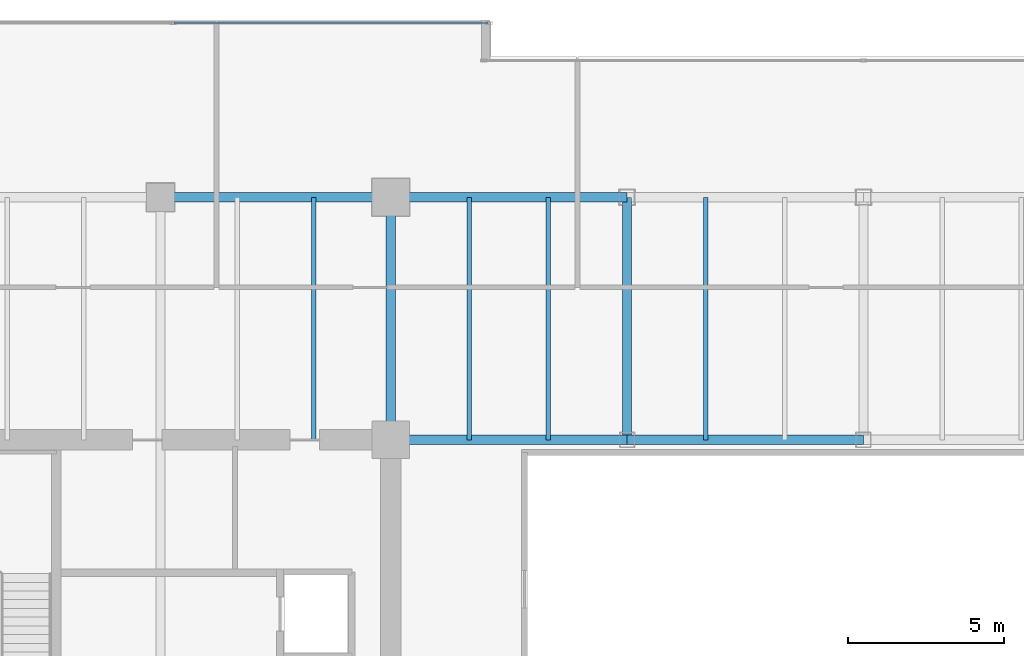
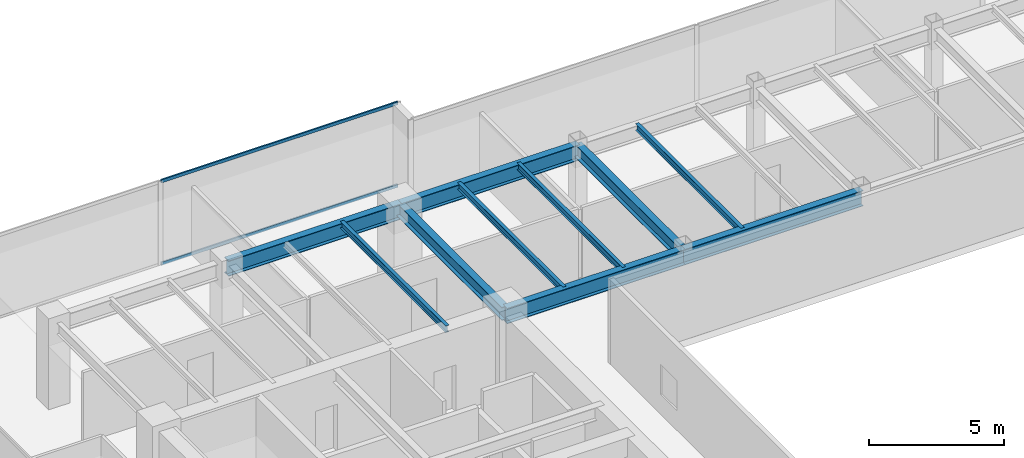
# One storey, part 15 of 34: 10 beams, 2 members, 1 element without a shape of its own.
"""IFC4 building model written with IfcOpenShell, lengths in metres."""

from ifc_helpers import new_model, si_unit, direction, frame, origin, origin_2d, place, context, subcontext, project, spatial, hollow_rectangle, i_section, extrude, source, transform, mapped, material, layer, layer_set, material_profile, profile_set, type_object, type_shapes, element, aggregate, save


model = new_model("IFC4")

# Units and contexts
model_context = context("Model", 3, precision=1e-05, world=origin(), true_north=direction((0.0, 1.0)))
body_context = subcontext(model_context, "Body", "Model", "MODEL_VIEW")
ifc_project = project(units=[si_unit("LENGTHUNIT", "METRE"), si_unit("AREAUNIT", "SQUARE_METRE"), si_unit("VOLUMEUNIT", "CUBIC_METRE"), si_unit("PLANEANGLEUNIT", "RADIAN"), si_unit("MASSUNIT", "GRAM", prefix="KILO")], contexts=[model_context])

# Site, building, storey
site_placement = place(None, origin())
site = spatial("IfcSite", under=ifc_project, at=site_placement, CompositionType="ELEMENT")
building_placement = place(site_placement, origin())
building = spatial("IfcBuilding", under=site, at=building_placement, Name="Haelvirn Gate Laboratories", CompositionType="ELEMENT")
storey_placement = place(building_placement, frame((0.0, 0.0, 178.89990234375)))
storey = spatial("IfcBuildingStorey", under=building, at=storey_placement, Name="L43", CompositionType="ELEMENT", Elevation=178.89990234375)

# Beams
ifc_material_1 = material(Name="Steel SM355", Category="steel")
ifc_material_profile_1 = material_profile(ifc_material_1, i_section(OverallWidth=0.300048828125, OverallDepth=0.699951171875, WebThickness=0.012939453125, FlangeThickness=0.02392578125, at=origin_2d()), Name="H-700x300x13x24")
ifc_profile_set_1 = profile_set([ifc_material_profile_1], Name="Steel SM355")
beam_type_1 = type_object("IfcBeamType", Name="BM-G-700", PredefinedType="BEAM", material=ifc_profile_set_1)
shared_shape_1 = source(origin(), body_context, "Body", "SweptSolid", [
    extrude(i_section(OverallWidth=0.300048828125, OverallDepth=0.699951171875, WebThickness=0.012939453125, FlangeThickness=0.02392578125, at=origin_2d()), origin(), (0.0, 0.0, 1.0), 7.39990234375),
])
beam_1_placement = place(storey_placement, frame((14.800048828125, 41.60009765625, 3.440185546875), z_axis=(1.0, 0.0, 0.0), x_axis=(0.0, 1.0, 0.0)))
element("IfcBeam", 1, at=beam_1_placement, inside=storey, type_object=beam_type_1, Name="L43 Primary Girder Y41.6 (14.8-22.2)", PredefinedType="BEAM", context=body_context, shape_type="MappedRepresentation", body=[
    mapped(shared_shape_1, transform((0.0, 0.0, 0.0), scale=1.0)),
])
shared_shape_2 = source(origin(), body_context, "Body", "SweptSolid", [
    extrude(i_section(OverallWidth=0.300048828125, OverallDepth=0.699951171875, WebThickness=0.012939453125, FlangeThickness=0.02392578125, at=origin_2d()), origin(), (0.0, 0.0, 1.0), 7.60009765625),
])
for number, where, z_axis, x_axis, name in (
    (2, (22.199951171875, 33.800048828125, 3.440185546875), (1.0, 0.0, 0.0), (0.0, 1.0, 0.0), "L43 Primary Girder Y33.8 (22.2-29.8)"),
    (3, (22.199951171875, 41.60009765625, 3.440185546875), (1.0, 0.0, 0.0), (0.0, 1.0, 0.0), "L43 Primary Girder Y41.6 (22.2-29.8)"),
):
    element("IfcBeam", number, at=place(storey_placement, frame(where, z_axis=z_axis, x_axis=x_axis)), inside=storey, type_object=beam_type_1, Name=name, PredefinedType="BEAM", context=body_context, shape_type="MappedRepresentation", body=[
        mapped(shared_shape_2, transform((0.0, 0.0, 0.0), scale=1.0)),
    ])
shared_shape_3 = source(origin(), body_context, "Body", "SweptSolid", [
    extrude(i_section(OverallWidth=0.300048828125, OverallDepth=0.699951171875, WebThickness=0.012939453125, FlangeThickness=0.02392578125, at=origin_2d()), origin(), (0.0, 0.0, 1.0), 7.599853515625),
])
type_shapes(beam_type_1, [shared_shape_1, shared_shape_2, shared_shape_3])
beam_2_placement = place(storey_placement, frame((29.800048828125, 33.800048828125, 3.440185546875), z_axis=(1.0, 0.0, 0.0), x_axis=(0.0, 1.0, 0.0)))
element("IfcBeam", 4, at=beam_2_placement, inside=storey, type_object=beam_type_1, Name="L43 Primary Girder Y33.8 (29.8-37.4)", PredefinedType="BEAM", context=body_context, shape_type="MappedRepresentation", body=[
    mapped(shared_shape_3, transform((0.0, 0.0, 0.0), scale=1.0)),
])
ifc_material_profile_2 = material_profile(ifc_material_1, i_section(OverallWidth=0.14990234375, OverallDepth=0.300048828125, WebThickness=0.006591796875, FlangeThickness=0.009033203125, at=origin_2d()), Name="H-300x150x6.5x9")
ifc_profile_set_2 = profile_set([ifc_material_profile_2], Name="Steel SM355")
beam_type_2 = type_object("IfcBeamType", Name="BM-J-300", PredefinedType="JOIST", material=ifc_profile_set_2)
shared_shape_4 = source(origin(), body_context, "Body", "SweptSolid", [
    extrude(i_section(OverallWidth=0.14990234375, OverallDepth=0.300048828125, WebThickness=0.006591796875, FlangeThickness=0.009033203125, at=origin_2d()), origin(), (0.0, 0.0, 1.0), 7.800048828125),
])
type_shapes(beam_type_2, [shared_shape_4])
for number, where, z_axis, x_axis, name in (
    (5, (19.72998046875, 33.800048828125, 3.64013671875), (0.0, 1.0, 0.0), (-1.0, 0.0, 0.0), "L43 Composite Lab Joist North X19.73"),
    (6, (24.72998046875, 33.800048828125, 3.64013671875), (0.0, 1.0, 0.0), (-1.0, 0.0, 0.0), "L43 Composite Lab Joist North X24.73"),
    (7, (27.27001953125, 33.800048828125, 3.64013671875), (0.0, 1.0, 0.0), (-1.0, 0.0, 0.0), "L43 Composite Lab Joist North X27.27"),
    (8, (32.330078125, 33.800048828125, 3.64013671875), (0.0, 1.0, 0.0), (-1.0, 0.0, 0.0), "L43 Composite Lab Joist North X32.33"),
):
    element("IfcBeam", number, at=place(storey_placement, frame(where, z_axis=z_axis, x_axis=x_axis)), inside=storey, type_object=beam_type_2, Name=name, PredefinedType="JOIST", context=body_context, shape_type="MappedRepresentation", body=[
        mapped(shared_shape_4, transform((0.0, 0.0, 0.0), scale=1.0)),
    ])
ifc_material_profile_3 = material_profile(ifc_material_1, i_section(OverallWidth=0.300048828125, OverallDepth=0.587890625, WebThickness=0.011962890625, FlangeThickness=0.02001953125, at=origin_2d()), Name="H-588x300x12x20")
ifc_profile_set_3 = profile_set([ifc_material_profile_3], Name="Steel SM355")
beam_type_3 = type_object("IfcBeamType", Name="BM-G-588", PredefinedType="BEAM", material=ifc_profile_set_3)
shared_shape_5 = source(origin(), body_context, "Body", "SweptSolid", [
    extrude(i_section(OverallWidth=0.300048828125, OverallDepth=0.587890625, WebThickness=0.011962890625, FlangeThickness=0.02001953125, at=origin_2d()), origin(), (0.0, 0.0, 1.0), 7.800048828125),
])
type_shapes(beam_type_3, [shared_shape_5])
for number, where, z_axis, x_axis, name in (
    (9, (22.199951171875, 33.800048828125, 3.49609375), (0.0, 1.0, 0.0), (-1.0, 0.0, 0.0), "L43 Frame Girder X22.2 (33.8-41.6)"),
    (10, (29.800048828125, 33.800048828125, 3.49609375), (0.0, 1.0, 0.0), (-1.0, 0.0, 0.0), "L43 Frame Girder X29.8 (33.8-41.6)"),
):
    element("IfcBeam", number, at=place(storey_placement, frame(where, z_axis=z_axis, x_axis=x_axis)), inside=storey, type_object=beam_type_3, Name=name, PredefinedType="BEAM", context=body_context, shape_type="MappedRepresentation", body=[
        mapped(shared_shape_5, transform((0.0, 0.0, 0.0), scale=1.0)),
    ])

# Curtain wall, members
ifc_material_2 = material(Name="Anodised bronze unitised aluminium & triple low-E glass", Category="aluminium")
ifc_layer = layer(ifc_material_2, 0.179931640625, Name="CW-SYS-3")
ifc_layer_set = layer_set([ifc_layer], Name="Anodised bronze unitised aluminium & triple low-E glass")
curtain_wall_type = type_object("IfcCurtainWallType", Name="CW-SYS-3", PredefinedType="NOTDEFINED", material=ifc_layer_set)
curtain_wall_placement = place(storey_placement, origin())
curtain_wall = element("IfcCurtainWall", 11, at=curtain_wall_placement, inside=storey, type_object=curtain_wall_type, Name="L43 Unitised Curtain Wall CW-L43-P0-E14-1", PredefinedType="NOTDEFINED")
ifc_material_3 = material(Name="Extruded aluminium 6063-T6 (anodised bronze)", Category="aluminium")
ifc_material_profile_4 = material_profile(ifc_material_3, hollow_rectangle(XDim=0.06494140625, YDim=0.139892578125, WallThickness=0.00390625, at=origin_2d()), Name="CWT-140x65x4")
ifc_profile_set_4 = profile_set([ifc_material_profile_4], Name="Extruded aluminium 6063-T6 (anodised bronze)")
member_type = type_object("IfcMemberType", Name="CWT-T140", PredefinedType="USERDEFINED", material=ifc_profile_set_4)
shared_shape_6 = source(origin(), body_context, "Body", "SweptSolid", [
    extrude(hollow_rectangle(XDim=0.06494140625, YDim=0.139892578125, WallThickness=0.00390625, at=origin_2d()), origin(), (0.0, 0.0, 1.0), 10.08740234375),
])
type_shapes(member_type, [shared_shape_6])
member_1_placement = place(storey_placement, frame((15.237548828125, 47.199951171875, 0.03271484375), z_axis=(1.0, 0.0, 0.0), x_axis=(0.0, 1.0, 0.0)))
member_1 = element("IfcMember", 12, at=member_1_placement, type_object=member_type, Name="CW3 transom 2.1", ObjectType="TRANSOM", PredefinedType="USERDEFINED", context=body_context, shape_type="MappedRepresentation", body=[
    mapped(shared_shape_6, transform((0.0, 0.0, 0.0), scale=1.0)),
])
member_2_placement = place(storey_placement, frame((15.237548828125, 47.199951171875, 3.757568359375), z_axis=(1.0, 0.0, 0.0), x_axis=(0.0, 1.0, 0.0)))
member_2 = element("IfcMember", 13, at=member_2_placement, type_object=member_type, Name="CW3 transom 2.2", ObjectType="TRANSOM", PredefinedType="USERDEFINED", context=body_context, shape_type="MappedRepresentation", body=[
    mapped(shared_shape_6, transform((0.0, 0.0, 0.0), scale=1.0)),
])
aggregate(curtain_wall, [member_1, member_2])

save(model, "model.ifc")
